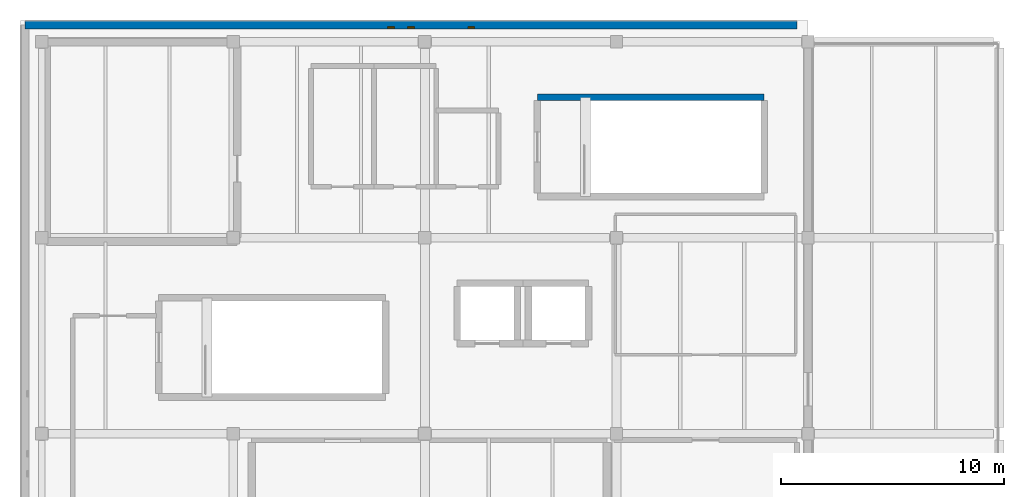
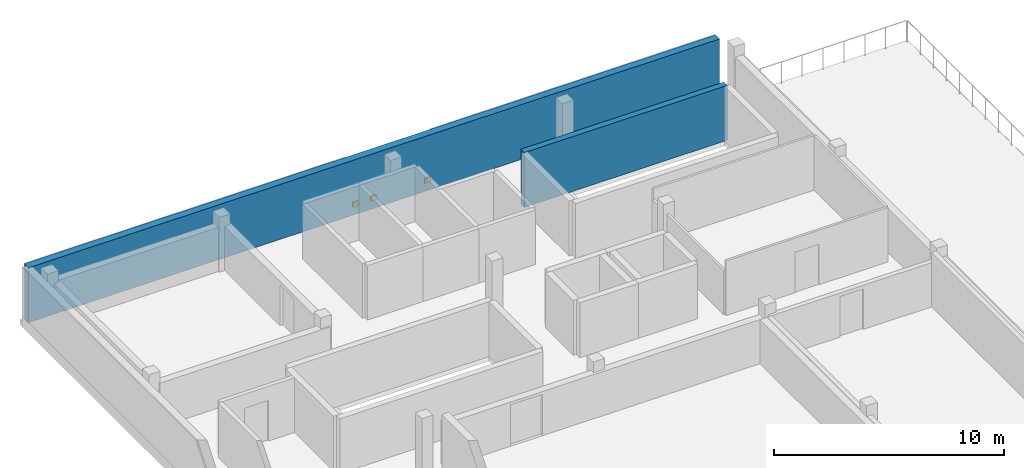
# One storey, part 5 of 6: 3 windows, 2 walls, 3 openings.
"""IFC4 building model written with IfcOpenShell, lengths in metres."""

from ifc_helpers import new_model, si_unit, direction, frame, frame_2d, origin, place, context, subcontext, project, spatial, rectangle, extrude, material, layer, layer_set, type_object, element, fill, save


model = new_model("IFC4")

# Units and contexts
model_context = context("Model", 3, precision=1e-05, world=origin(), true_north=direction((0.0, 1.0)))
body_context = subcontext(model_context, "Body", "Model", "MODEL_VIEW")
ifc_project = project(units=[si_unit("LENGTHUNIT", "METRE"), si_unit("AREAUNIT", "SQUARE_METRE"), si_unit("VOLUMEUNIT", "CUBIC_METRE"), si_unit("PLANEANGLEUNIT", "RADIAN"), si_unit("MASSUNIT", "GRAM", prefix="KILO")], contexts=[model_context])

# Site, building, storey
site_placement = place(None, origin())
site = spatial("IfcSite", under=ifc_project, at=site_placement, CompositionType="ELEMENT")
building_placement = place(site_placement, origin())
building = spatial("IfcBuilding", under=site, at=building_placement, Name="Varnakota Cinema and Media Centre", CompositionType="ELEMENT")
storey_placement = place(building_placement, frame((0.0, 0.0, 25.5)))
storey = spatial("IfcBuildingStorey", under=building, at=storey_placement, Name="L07", CompositionType="ELEMENT", Elevation=25.5)

# Wall
ifc_material_1 = material(Name="Concrete M40", Category="concrete")
ifc_layer_1 = layer(ifc_material_1, 0.300048828125)
ifc_layer_set_1 = layer_set([ifc_layer_1], Name="Concrete M40")
wall_type_1 = type_object("IfcWallType", Name="W-CORE-300", PredefinedType="SHEAR", material=ifc_layer_set_1)
wall_1_placement = place(storey_placement, frame((22.25, 32.699951171875, 0.0), z_axis=(0.0, 0.0, 1.0), x_axis=(1.0, 0.0, 0.0)))
element("IfcWall", 1, at=wall_1_placement, inside=storey, type_object=wall_type_1, Name="L07 CWALL-ST-02-L07 N wall", PredefinedType="SHEAR", context=body_context, shape_type="SweptSolid", body=[
    extrude(rectangle(XDim=10.179931640625, YDim=0.300048828125, at=frame_2d((5.08984375, 0.0))), origin(), (0.0, 0.0, 1.0), 2.909912109375),
])

# Wall, openings, windows
ifc_material_2 = material(Name="Pale Tandur limestone cladding", Category="masonry")
ifc_layer_2 = layer(ifc_material_2, 0.360107421875)
ifc_layer_set_2 = layer_set([ifc_layer_2], Name="Pale Tandur limestone cladding")
wall_type_2 = type_object("IfcWallType", Name="W-EXT-TANDUR-360", PredefinedType="SOLIDWALL", material=ifc_layer_set_2)
wall_2_placement = place(storey_placement, frame((-0.739990234375, 35.93994140625, 0.0), z_axis=(0.0, 0.0, 1.0), x_axis=(1.0, 0.0, 0.0)))
wall_2 = element("IfcWall", 2, at=wall_2_placement, inside=storey, type_object=wall_type_2, Name="L07 V4 pale Tandur stone monolith wall V4-N", PredefinedType="SOLIDWALL", context=body_context, shape_type="SweptSolid", body=[
    extrude(rectangle(XDim=34.639892578125, YDim=0.360107421875, at=frame_2d((17.31982421875, 0.0))), origin(), (0.0, 0.0, 1.0), 2.909912109375),
])
opening_1_placement = place(wall_2_placement, frame((16.280029296875, 0.0, 0.360107421875)))
opening_1 = element("IfcOpeningElement", 3, at=opening_1_placement, cuts=wall_2, Name="Opening WP15", PredefinedType="OPENING", context=body_context, shape_type="SweptSolid", body=[
    extrude(rectangle(XDim=0.280029296875, YDim=0.280029296875, at=frame_2d((0.14013671875, 0.14013671875))), frame((0.0, 0.18017578125, 0.0), z_axis=(0.0, -1.0, 0.0), x_axis=(1.0, 0.0, 0.0)), (0.0, 0.0, 1.0), 0.360107421875),
])
opening_2_placement = place(wall_2_placement, frame((17.179931640625, 0.0, 0.360107421875)))
opening_2 = element("IfcOpeningElement", 4, at=opening_2_placement, cuts=wall_2, Name="Opening WP15", PredefinedType="OPENING", context=body_context, shape_type="SweptSolid", body=[
    extrude(rectangle(XDim=0.280029296875, YDim=0.280029296875, at=frame_2d((0.14013671875, 0.14013671875))), frame((0.0, 0.18017578125, 0.0), z_axis=(0.0, -1.0, 0.0), x_axis=(1.0, 0.0, 0.0)), (0.0, 0.0, 1.0), 0.360107421875),
])
opening_3_placement = place(wall_2_placement, frame((19.8798828125, 0.0, 0.360107421875)))
opening_3 = element("IfcOpeningElement", 5, at=opening_3_placement, cuts=wall_2, Name="Opening WP15", PredefinedType="OPENING", context=body_context, shape_type="SweptSolid", body=[
    extrude(rectangle(XDim=0.280029296875, YDim=0.280029296875, at=frame_2d((0.14013671875, 0.14013671875))), frame((0.0, 0.18017578125, 0.0), z_axis=(0.0, -1.0, 0.0), x_axis=(1.0, 0.0, 0.0)), (0.0, 0.0, 1.0), 0.360107421875),
])
ifc_material_3 = material(Name="Laminated solar-control double glazing", Category="glass")
window_type = type_object("IfcWindowType", Name="WIN-PIERCE-15", PartitioningType="SINGLE_PANEL", PredefinedType="WINDOW", material=ifc_material_3)
window_1_placement = place(opening_1_placement, origin())
window_1 = element("IfcWindow", 6, at=window_1_placement, inside=storey, type_object=window_type, Name="L07 window WP15", OverallHeight=0.280029296875, OverallWidth=0.280029296875, PartitioningType="SINGLE_PANEL", PredefinedType="WINDOW", context=body_context, shape_type="SweptSolid", body=[
    extrude(rectangle(XDim=0.280029296875, YDim=0.280029296875, at=frame_2d((0.14013671875, 0.14013671875))), frame((0.0, -0.070068359375, 0.0), z_axis=(0.0, -1.0, 0.0), x_axis=(1.0, 0.0, 0.0)), (0.0, 0.0, 1.0), 0.06005859375),
])
fill(opening_1, window_1)
window_2_placement = place(opening_2_placement, origin())
window_2 = element("IfcWindow", 7, at=window_2_placement, inside=storey, type_object=window_type, Name="L07 window WP15", OverallHeight=0.280029296875, OverallWidth=0.280029296875, PartitioningType="SINGLE_PANEL", PredefinedType="WINDOW", context=body_context, shape_type="SweptSolid", body=[
    extrude(rectangle(XDim=0.280029296875, YDim=0.280029296875, at=frame_2d((0.14013671875, 0.14013671875))), frame((0.0, -0.070068359375, 0.0), z_axis=(0.0, -1.0, 0.0), x_axis=(1.0, 0.0, 0.0)), (0.0, 0.0, 1.0), 0.06005859375),
])
fill(opening_2, window_2)
window_3_placement = place(opening_3_placement, origin())
window_3 = element("IfcWindow", 8, at=window_3_placement, inside=storey, type_object=window_type, Name="L07 window WP15", OverallHeight=0.280029296875, OverallWidth=0.280029296875, PartitioningType="SINGLE_PANEL", PredefinedType="WINDOW", context=body_context, shape_type="SweptSolid", body=[
    extrude(rectangle(XDim=0.280029296875, YDim=0.280029296875, at=frame_2d((0.14013671875, 0.14013671875))), frame((0.0, -0.070068359375, 0.0), z_axis=(0.0, -1.0, 0.0), x_axis=(1.0, 0.0, 0.0)), (0.0, 0.0, 1.0), 0.06005859375),
])
fill(opening_3, window_3)

save(model, "model.ifc")
